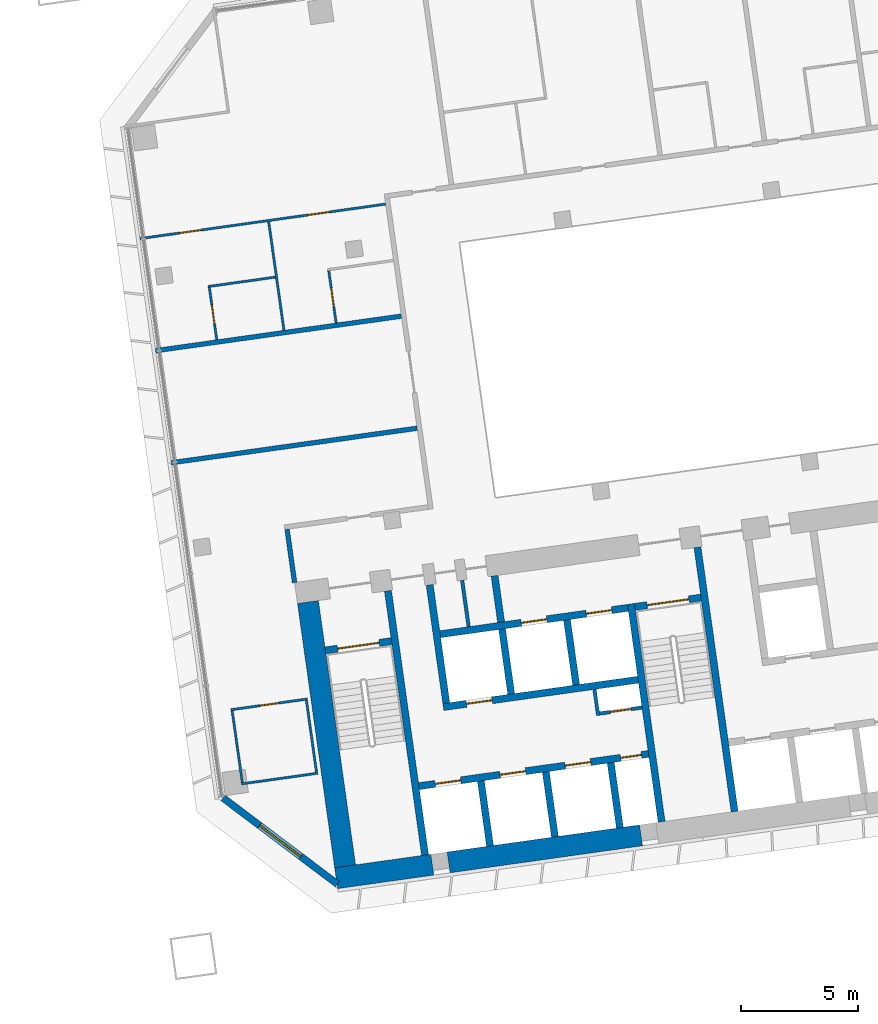
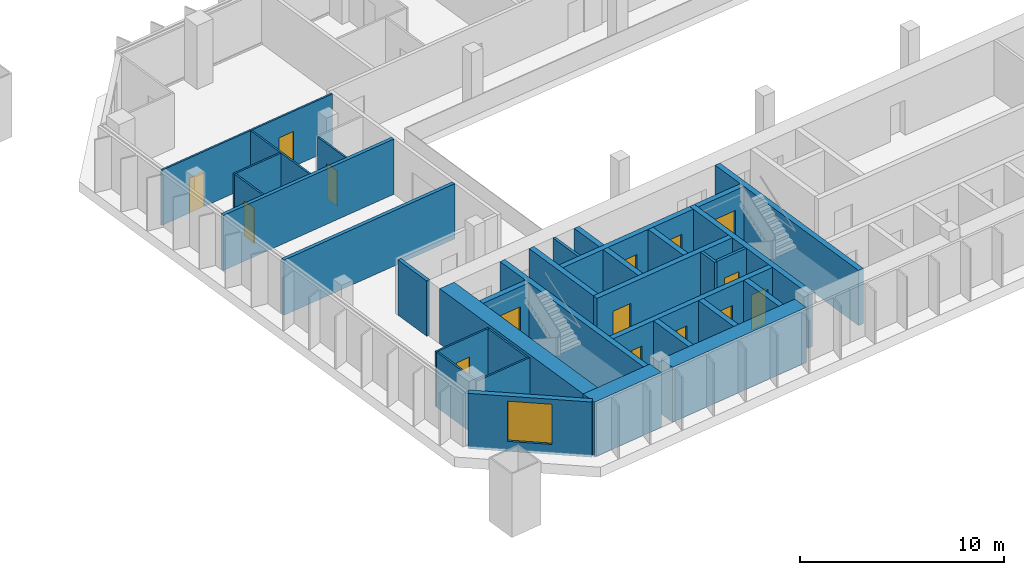
# One storey, part 18 of 24: 34 walls, 15 doors, 1 window, 16 openings.
"""IFC4 building model written with IfcOpenShell, lengths in metres."""

from ifc_helpers import new_model, si_unit, direction, frame, frame_2d, origin, place, context, subcontext, project, spatial, rectangle, extrude, material, layer, layer_set, type_object, element, fill, save


model = new_model("IFC4")

# Units and contexts
model_context = context("Model", 3, precision=1e-05, world=origin(), true_north=direction((0.0, 1.0)))
body_context = subcontext(model_context, "Body", "Model", "MODEL_VIEW")
ifc_project = project(units=[si_unit("LENGTHUNIT", "METRE"), si_unit("AREAUNIT", "SQUARE_METRE"), si_unit("VOLUMEUNIT", "CUBIC_METRE"), si_unit("PLANEANGLEUNIT", "RADIAN"), si_unit("MASSUNIT", "GRAM", prefix="KILO")], contexts=[model_context])

# Site, building, storey
site_placement = place(None, origin())
site = spatial("IfcSite", under=ifc_project, at=site_placement, CompositionType="ELEMENT")
building_placement = place(site_placement, origin())
building = spatial("IfcBuilding", under=site, at=building_placement, Name="Mirante Cascada Hotel Towers", CompositionType="ELEMENT")
storey_placement = place(building_placement, frame((0.0, 0.0, 88.9)))
storey = spatial("IfcBuildingStorey", under=building, at=storey_placement, Name="L19", CompositionType="ELEMENT", Elevation=88.9)

# Walls
ifc_material_1 = material(Name="Fire-rated plasterboard on metal studs")
ifc_layer_1 = layer(ifc_material_1, 0.2)
ifc_layer_set_1 = layer_set([ifc_layer_1], Name="Compartment wall 200 EI 120")
wall_type_1 = type_object("IfcWallType", Name="Compartment wall 200 EI 120", PredefinedType="PARTITIONING", material=ifc_layer_set_1)
wall_1_placement = place(storey_placement, frame((30.0, -2.0, 0.0), z_axis=(0.0, 0.0, 1.0), x_axis=(0.9902684, 0.1391704, 0.0)))
element("IfcWall", 1, at=wall_1_placement, inside=storey, type_object=wall_type_1, Name="Wall 2-L19-04", PredefinedType="PARTITIONING", context=body_context, shape_type="SweptSolid", body=[
    extrude(rectangle(XDim=10.6, YDim=0.2, at=frame_2d((5.3, 0.0))), origin(), (0.0, 0.0, 1.0), 3.3),
])
wall_2_placement = place(storey_placement, frame((29.3273, 2.7863, 0.0), z_axis=(0.0, 0.0, 1.0), x_axis=(0.9902686, 0.1391691, 0.0)))
element("IfcWall", 2, at=wall_2_placement, inside=storey, type_object=wall_type_1, Name="Wall 2-L19-08", PredefinedType="PARTITIONING", context=body_context, shape_type="SweptSolid", body=[
    extrude(rectangle(XDim=10.6001, YDim=0.2, at=frame_2d((5.3, 0.0))), origin(), (0.0, 0.0, 1.0), 3.3),
])
wall_3_placement = place(storey_placement, frame((34.9433, -4.8397, 0.0), z_axis=(0.0, 0.0, 1.0), x_axis=(0.1391749, -0.9902678, 0.0)))
element("IfcWall", 3, at=wall_3_placement, inside=storey, type_object=wall_type_1, Name="Wall 2-L19-27", PredefinedType="PARTITIONING", context=body_context, shape_type="SweptSolid", body=[
    extrude(rectangle(XDim=2.3, YDim=0.2, at=frame_2d((1.15, 0.0))), origin(), (0.0, 0.0, 1.0), 3.3),
])
ifc_material_2 = material(Name="Masonry block", Category="masonry")
ifc_layer_2 = layer(ifc_material_2, 0.15)
ifc_layer_set_2 = layer_set([ifc_layer_2], Name="Core room partition 150 block EI 30")
wall_type_2 = type_object("IfcWallType", Name="Core room partition 150 block EI 30", PredefinedType="PARTITIONING", material=ifc_layer_set_2)
wall_4_placement = place(storey_placement, frame((48.2295, -12.793, 0.0), z_axis=(0.0, 0.0, 1.0), x_axis=(-0.1391935, 0.9902652, 0.0)))
element("IfcWall", 4, at=wall_4_placement, inside=storey, type_object=wall_type_2, Name="Core wall partition T2 L19 2", PredefinedType="PARTITIONING", context=body_context, shape_type="SweptSolid", body=[
    extrude(rectangle(XDim=1.1251, YDim=0.15, at=frame_2d((0.5626, 0.0))), origin(), (0.0, 0.0, 1.0), 3.3),
])

# Wall, opening, door
wall_5_placement = place(storey_placement, frame((48.2933, -12.7083, 0.0), z_axis=(0.0, 0.0, 1.0), x_axis=(0.990268, 0.1391734, 0.0)))
wall_5 = element("IfcWall", 5, at=wall_5_placement, inside=storey, type_object=wall_type_2, Name="Core wall partition T2 L19 3", PredefinedType="PARTITIONING", context=body_context, shape_type="SweptSolid", body=[
    extrude(rectangle(XDim=1.8251, YDim=0.15, at=frame_2d((0.9126, 0.0))), origin(), (0.0, 0.0, 1.0), 3.3),
])
opening_1_placement = place(wall_5_placement, frame((0.4625, 0.0, 0.0)))
opening_1 = element("IfcOpeningElement", 6, at=opening_1_placement, cuts=wall_5, Name="Opening D2-19-C23", PredefinedType="OPENING", context=body_context, shape_type="SweptSolid", body=[
    extrude(rectangle(XDim=0.9, YDim=2.1, at=frame_2d((0.45, 1.05))), frame((0.0, 0.075, 0.0), z_axis=(0.0, -1.0, 0.0), x_axis=(1.0, 0.0, 0.0)), (0.0, 0.0, 1.0), 0.15),
])
ifc_material_3 = material(Name="Hollow metal fire door leaf")
door_type_1 = type_object("IfcDoorType", Name="Fire door 900x2100 FD60", OperationType="NOTDEFINED", PredefinedType="DOOR", material=ifc_material_3)
door_1_placement = place(opening_1_placement, frame((0.9, 0.0, 0.0), z_axis=(0.0, 0.0, 1.0), x_axis=(-1.0, 0.0, 0.0)))
door_1 = element("IfcDoor", 7, at=door_1_placement, inside=storey, type_object=door_type_1, Name="Riser door T2 L19 23", OperationType="SINGLE_SWING_RIGHT", OverallHeight=2.1, OverallWidth=0.9, PredefinedType="DOOR", context=body_context, shape_type="SweptSolid", body=[
    extrude(rectangle(XDim=0.9, YDim=2.1, at=frame_2d((0.45, 1.05))), frame((0.0, 0.025, 0.0), z_axis=(0.0, -1.0, 0.0), x_axis=(1.0, 0.0, 0.0)), (0.0, 0.0, 1.0), 0.05),
])
fill(opening_1, door_1)

# Walls
wall_6_placement = place(storey_placement, frame((42.6979, -9.0009, 0.0), z_axis=(0.0, 0.0, 1.0), x_axis=(-0.1391529, 0.9902709, 0.0)))
element("IfcWall", 8, at=wall_6_placement, inside=storey, type_object=wall_type_2, Name="Core wall partition T2 L19 4", PredefinedType="PARTITIONING", context=body_context, shape_type="SweptSolid", body=[
    extrude(rectangle(XDim=2.0, YDim=0.15, at=frame_2d((1.0, 0.0))), origin(), (0.0, 0.0, 1.0), 3.3),
])
ifc_material_4 = material(Name="Masonry block", Category="masonry")
ifc_layer_3 = layer(ifc_material_4, 0.3)
ifc_layer_set_3 = layer_set([ifc_layer_3], Name="Core wall 300 block EI 120")
wall_type_3 = type_object("IfcWallType", Name="Core wall 300 block EI 120", PredefinedType="PARTITIONING", material=ifc_layer_set_3)
wall_7_placement = place(storey_placement, frame((44.0843, -8.8061, 0.0), z_axis=(0.0, 0.0, 1.0), x_axis=(-0.1391951, 0.990265, 0.0)))
element("IfcWall", 9, at=wall_7_placement, inside=storey, type_object=wall_type_3, Name="Core wall partition T2 L19 1", PredefinedType="PARTITIONING", context=body_context, shape_type="SweptSolid", body=[
    extrude(rectangle(XDim=2.0001, YDim=0.3, at=frame_2d((1.0001, 0.0))), origin(), (0.0, 0.0, 1.0), 3.3),
])
ifc_material_5 = material(Name="Plasterboard on metal studs")
ifc_layer_4 = layer(ifc_material_5, 0.1)
ifc_layer_set_4 = layer_set([ifc_layer_4], Name="Partition 100")
wall_type_4 = type_object("IfcWallType", Name="Partition 100", PredefinedType="PARTITIONING", material=ifc_layer_set_4)
wall_8_placement = place(storey_placement, frame((36.2561, -15.2583, 0.0), z_axis=(0.0, 0.0, 1.0), x_axis=(-0.990267, -0.139181, 0.0)))
element("IfcWall", 10, at=wall_8_placement, inside=storey, type_object=wall_type_4, Name="Wall 2-L19-01", PredefinedType="PARTITIONING", context=body_context, shape_type="SweptSolid", body=[
    extrude(rectangle(XDim=3.3, YDim=0.1, at=frame_2d((1.65, 0.0))), origin(), (0.0, 0.0, 1.0), 3.3),
])

# Wall, opening, door
wall_9_placement = place(storey_placement, frame((32.5429, -12.5488, 0.0), z_axis=(0.0, 0.0, 1.0), x_axis=(0.9902664, 0.1391852, 0.0)))
wall_9 = element("IfcWall", 11, at=wall_9_placement, inside=storey, type_object=wall_type_4, Name="Wall 2-L19-02", PredefinedType="PARTITIONING", context=body_context, shape_type="SweptSolid", body=[
    extrude(rectangle(XDim=3.2999, YDim=0.1, at=frame_2d((1.65, 0.0))), origin(), (0.0, 0.0, 1.0), 3.3),
])
opening_2_placement = place(wall_9_placement, frame((1.25, 0.0, 0.0)))
opening_2 = element("IfcOpeningElement", 12, at=opening_2_placement, cuts=wall_9, Name="Opening D2-L19-01", PredefinedType="OPENING", context=body_context, shape_type="SweptSolid", body=[
    extrude(rectangle(XDim=0.8, YDim=2.1, at=frame_2d((0.4, 1.05))), frame((0.0, 0.05, 0.0), z_axis=(0.0, -1.0, 0.0), x_axis=(1.0, 0.0, 0.0)), (0.0, 0.0, 1.0), 0.1),
])
ifc_material_6 = material(Name="Timber door leaf", Category="wood")
door_type_2 = type_object("IfcDoorType", Name="Bathroom door DG4 800x2100", OperationType="SINGLE_SWING_LEFT", PredefinedType="DOOR", material=ifc_material_6)
door_2_placement = place(opening_2_placement, origin())
door_2 = element("IfcDoor", 13, at=door_2_placement, inside=storey, type_object=door_type_2, Name="Door D2-L19-01", OperationType="SINGLE_SWING_LEFT", OverallHeight=2.1, OverallWidth=0.8, PredefinedType="DOOR", context=body_context, shape_type="SweptSolid", body=[
    extrude(rectangle(XDim=0.8, YDim=2.1, at=frame_2d((0.4, 1.05))), frame((0.0, 0.025, 0.0), z_axis=(0.0, -1.0, 0.0), x_axis=(1.0, 0.0, 0.0)), (0.0, 0.0, 1.0), 0.05),
])
fill(opening_2, door_2)

# Wall
wall_10_placement = place(storey_placement, frame((31.568, 5.5248, 0.0), z_axis=(0.0, 0.0, 1.0), x_axis=(0.9902683, 0.1391714, 0.0)))
element("IfcWall", 14, at=wall_10_placement, inside=storey, type_object=wall_type_4, Name="Wall 2-L19-10", PredefinedType="PARTITIONING", context=body_context, shape_type="SweptSolid", body=[
    extrude(rectangle(XDim=2.9, YDim=0.1, at=frame_2d((1.45, 0.0))), origin(), (0.0, 0.0, 1.0), 3.3),
])

# Wall, openings, doors
wall_11_placement = place(storey_placement, frame((39.1515, 9.0479, 0.0), z_axis=(0.0, 0.0, 1.0), x_axis=(-0.9902671, -0.1391797, 0.0)))
wall_11 = element("IfcWall", 15, at=wall_11_placement, inside=storey, type_object=wall_type_4, Name="Wall 2-L19-13", PredefinedType="PARTITIONING", context=body_context, shape_type="SweptSolid", body=[
    extrude(rectangle(XDim=10.6, YDim=0.1, at=frame_2d((5.3, 0.0))), origin(), (0.0, 0.0, 1.0), 3.3),
])
opening_3_placement = place(wall_11_placement, frame((7.975, 0.0, 0.0)))
opening_3 = element("IfcOpeningElement", 16, at=opening_3_placement, cuts=wall_11, Name="Opening D2-L19-06", PredefinedType="OPENING", context=body_context, shape_type="SweptSolid", body=[
    extrude(rectangle(XDim=0.9, YDim=2.1, at=frame_2d((0.45, 1.05))), frame((0.0, 0.05, 0.0), z_axis=(0.0, -1.0, 0.0), x_axis=(1.0, 0.0, 0.0)), (0.0, 0.0, 1.0), 0.1),
])
opening_4_placement = place(wall_11_placement, frame((2.425, 0.0, 0.0)))
opening_4 = element("IfcOpeningElement", 17, at=opening_4_placement, cuts=wall_11, Name="Opening D2-L19-07", PredefinedType="OPENING", context=body_context, shape_type="SweptSolid", body=[
    extrude(rectangle(XDim=0.9, YDim=2.1, at=frame_2d((0.45, 1.05))), frame((0.0, 0.05, 0.0), z_axis=(0.0, -1.0, 0.0), x_axis=(1.0, 0.0, 0.0)), (0.0, 0.0, 1.0), 0.1),
])
ifc_material_7 = material(Name="Timber door leaf", Category="wood")
door_type_3 = type_object("IfcDoorType", Name="Room door DG3 900x2100", OperationType="SINGLE_SWING_LEFT", PredefinedType="DOOR", material=ifc_material_7)
door_3_placement = place(opening_3_placement, frame((0.9, 0.0, 0.0), z_axis=(0.0, 0.0, 1.0), x_axis=(-1.0, 0.0, 0.0)))
door_3 = element("IfcDoor", 18, at=door_3_placement, inside=storey, type_object=door_type_3, Name="Door D2-L19-06", OperationType="SINGLE_SWING_RIGHT", OverallHeight=2.1, OverallWidth=0.9, PredefinedType="DOOR", context=body_context, shape_type="SweptSolid", body=[
    extrude(rectangle(XDim=0.9, YDim=2.1, at=frame_2d((0.45, 1.05))), frame((0.0, 0.025, 0.0), z_axis=(0.0, -1.0, 0.0), x_axis=(1.0, 0.0, 0.0)), (0.0, 0.0, 1.0), 0.05),
])
fill(opening_3, door_3)
door_4_placement = place(opening_4_placement, frame((0.9, 0.0, 0.0), z_axis=(0.0, 0.0, 1.0), x_axis=(-1.0, 0.0, 0.0)))
door_4 = element("IfcDoor", 19, at=door_4_placement, inside=storey, type_object=door_type_3, Name="Door D2-L19-07", OperationType="SINGLE_SWING_RIGHT", OverallHeight=2.1, OverallWidth=0.9, PredefinedType="DOOR", context=body_context, shape_type="SweptSolid", body=[
    extrude(rectangle(XDim=0.9, YDim=2.1, at=frame_2d((0.45, 1.05))), frame((0.0, 0.025, 0.0), z_axis=(0.0, -1.0, 0.0), x_axis=(1.0, 0.0, 0.0)), (0.0, 0.0, 1.0), 0.05),
])
fill(opening_4, door_4)

# Wall
wall_12_placement = place(storey_placement, frame((33.0308, -15.6611, 0.0), z_axis=(0.0, 0.0, 1.0), x_axis=(-0.1391945, 0.9902651, 0.0)))
element("IfcWall", 20, at=wall_12_placement, inside=storey, type_object=wall_type_4, Name="Wall 2-L19-24", PredefinedType="PARTITIONING", context=body_context, shape_type="SweptSolid", body=[
    extrude(rectangle(XDim=3.1, YDim=0.1, at=frame_2d((1.55, 0.0))), origin(), (0.0, 0.0, 1.0), 3.3),
])

# Wall, opening, door
wall_13_placement = place(storey_placement, frame((31.6245, 5.4822, 0.0), z_axis=(0.0, 0.0, 1.0), x_axis=(0.1391561, -0.9902705, 0.0)))
wall_13 = element("IfcWall", 21, at=wall_13_placement, inside=storey, type_object=wall_type_4, Name="Wall 2-L19-25", PredefinedType="PARTITIONING", context=body_context, shape_type="SweptSolid", body=[
    extrude(rectangle(XDim=2.25, YDim=0.1, at=frame_2d((1.125, 0.0))), origin(), (0.0, 0.0, 1.0), 3.3),
])
opening_5_placement = place(wall_13_placement, frame((0.75, 0.0, 0.0)))
opening_5 = element("IfcOpeningElement", 22, at=opening_5_placement, cuts=wall_13, Name="Opening D2-L19-23", PredefinedType="OPENING", context=body_context, shape_type="SweptSolid", body=[
    extrude(rectangle(XDim=0.8, YDim=2.1, at=frame_2d((0.4, 1.05))), frame((0.0, 0.05, 0.0), z_axis=(0.0, -1.0, 0.0), x_axis=(1.0, 0.0, 0.0)), (0.0, 0.0, 1.0), 0.1),
])
door_5_placement = place(opening_5_placement, origin())
door_5 = element("IfcDoor", 23, at=door_5_placement, inside=storey, type_object=door_type_2, Name="Door D2-L19-23", OperationType="SINGLE_SWING_LEFT", OverallHeight=2.1, OverallWidth=0.8, PredefinedType="DOOR", context=body_context, shape_type="SweptSolid", body=[
    extrude(rectangle(XDim=0.8, YDim=2.1, at=frame_2d((0.4, 1.05))), frame((0.0, 0.025, 0.0), z_axis=(0.0, -1.0, 0.0), x_axis=(1.0, 0.0, 0.0)), (0.0, 0.0, 1.0), 0.05),
])
fill(opening_5, door_5)

# Walls
wall_14_placement = place(storey_placement, frame((36.1996, -15.2158, 0.0), z_axis=(0.0, 0.0, 1.0), x_axis=(-0.1391629, 0.9902695, 0.0)))
element("IfcWall", 24, at=wall_14_placement, inside=storey, type_object=wall_type_4, Name="Wall 2-L19-26", PredefinedType="PARTITIONING", context=body_context, shape_type="SweptSolid", body=[
    extrude(rectangle(XDim=3.1, YDim=0.1, at=frame_2d((1.55, 0.0))), origin(), (0.0, 0.0, 1.0), 3.3),
])
wall_15_placement = place(storey_placement, frame((34.1576, 8.2955, 0.0), z_axis=(0.0, 0.0, 1.0), x_axis=(0.139173, -0.9902681, 0.0)))
element("IfcWall", 25, at=wall_15_placement, inside=storey, type_object=wall_type_4, Name="Wall 2-L19-29", PredefinedType="PARTITIONING", context=body_context, shape_type="SweptSolid", body=[
    extrude(rectangle(XDim=4.6834, YDim=0.1, at=frame_2d((2.3417, 0.0))), origin(), (0.0, 0.0, 1.0), 3.3),
])

# Wall, opening, door
wall_16_placement = place(storey_placement, frame((37.0375, 3.9708, 0.0), z_axis=(0.0, 0.0, 1.0), x_axis=(-0.1391561, 0.9902705, 0.0)))
wall_16 = element("IfcWall", 26, at=wall_16_placement, inside=storey, type_object=wall_type_4, Name="Wall 2-L19-30", PredefinedType="PARTITIONING", context=body_context, shape_type="SweptSolid", body=[
    extrude(rectangle(XDim=2.25, YDim=0.1, at=frame_2d((1.125, 0.0))), origin(), (0.0, 0.0, 1.0), 3.3),
])
opening_6_placement = place(wall_16_placement, frame((0.7, 0.0, 0.0)))
opening_6 = element("IfcOpeningElement", 27, at=opening_6_placement, cuts=wall_16, Name="Opening D2-L19-25", PredefinedType="OPENING", context=body_context, shape_type="SweptSolid", body=[
    extrude(rectangle(XDim=0.8, YDim=2.1, at=frame_2d((0.4, 1.05))), frame((0.0, 0.05, 0.0), z_axis=(0.0, -1.0, 0.0), x_axis=(1.0, 0.0, 0.0)), (0.0, 0.0, 1.0), 0.1),
])
door_6_placement = place(opening_6_placement, frame((0.8, 0.0, 0.0), z_axis=(0.0, 0.0, 1.0), x_axis=(-1.0, 0.0, 0.0)))
door_6 = element("IfcDoor", 28, at=door_6_placement, inside=storey, type_object=door_type_2, Name="Door D2-L19-25", OperationType="SINGLE_SWING_RIGHT", OverallHeight=2.1, OverallWidth=0.8, PredefinedType="DOOR", context=body_context, shape_type="SweptSolid", body=[
    extrude(rectangle(XDim=0.8, YDim=2.1, at=frame_2d((0.4, 1.05))), frame((0.0, 0.025, 0.0), z_axis=(0.0, -1.0, 0.0), x_axis=(1.0, 0.0, 0.0)), (0.0, 0.0, 1.0), 0.05),
])
fill(opening_6, door_6)

# Wall, opening, window
ifc_material_8 = material(Name="Precast concrete C40/50", Category="concrete")
ifc_layer_5 = layer(ifc_material_8, 0.3)
ifc_layer_set_5 = layer_set([ifc_layer_5], Name="Precast concrete C40/50 cladding wall 300")
wall_type_5 = type_object("IfcWallType", Name="Precast concrete C40/50 cladding wall 300", PredefinedType="STANDARD", material=ifc_layer_set_5)
wall_17_placement = place(storey_placement, frame((32.2074, -16.3138, 0.0), z_axis=(0.0, 0.0, 1.0), x_axis=(0.7986362, -0.6018141, 0.0)))
wall_17 = element("IfcWall", 29, at=wall_17_placement, inside=storey, type_object=wall_type_5, Name="Corner cladding wall T2 L19 inner rear", PredefinedType="STANDARD", context=body_context, shape_type="SweptSolid", body=[
    extrude(rectangle(XDim=6.1157, YDim=0.3, at=frame_2d((3.0578, 0.0))), origin(), (0.0, 0.0, 1.0), 3.3),
])
opening_7_placement = place(wall_17_placement, frame((1.9578, 0.0, 0.6)))
opening_7 = element("IfcOpeningElement", 30, at=opening_7_placement, cuts=wall_17, Name="Opening W2-19-05", PredefinedType="OPENING", context=body_context, shape_type="SweptSolid", body=[
    extrude(rectangle(XDim=2.2, YDim=2.4, at=frame_2d((1.1, 1.2))), frame((0.0, 0.15, 0.0), z_axis=(0.0, -1.0, 0.0), x_axis=(1.0, 0.0, 0.0)), (0.0, 0.0, 1.0), 0.3),
])
ifc_material_9 = material(Name="Aluminium frame with clear double glazing", Category="aluminium")
window_type = type_object("IfcWindowType", Name="Corner suite window 2200x2400", PartitioningType="DOUBLE_PANEL_VERTICAL", PredefinedType="WINDOW", material=ifc_material_9)
window_placement = place(opening_7_placement, origin())
window = element("IfcWindow", 31, at=window_placement, inside=storey, type_object=window_type, Name="Window W2-19-05", OverallHeight=2.4, OverallWidth=2.2, PartitioningType="SINGLE_PANEL", PredefinedType="WINDOW", context=body_context, shape_type="SweptSolid", body=[
    extrude(rectangle(XDim=2.2, YDim=2.4, at=frame_2d((1.1, 1.2))), frame((0.0, 0.03, 0.0), z_axis=(0.0, -1.0, 0.0), x_axis=(1.0, 0.0, 0.0)), (0.0, 0.0, 1.0), 0.06),
])
fill(opening_7, window)

# Walls
ifc_material_10 = material(Name="Concrete C50/60", Category="concrete")
ifc_layer_6 = layer(ifc_material_10, 0.3)
ifc_layer_set_6 = layer_set([ifc_layer_6], Name="RC core wall 300 C50/60")
wall_type_6 = type_object("IfcWallType", Name="RC core wall 300 C50/60", PredefinedType="SHEAR", material=ifc_layer_set_6)
wall_18_placement = place(storey_placement, frame((40.8373, -18.7548, 0.0), z_axis=(0.0, 0.0, 1.0), x_axis=(-0.1391749, 0.9902678, 0.0)))
element("IfcWall", 32, at=wall_18_placement, inside=storey, type_object=wall_type_6, Name="Core wall T2:L19:5", PredefinedType="SHEAR", context=body_context, shape_type="SweptSolid", body=[
    extrude(rectangle(XDim=11.4, YDim=0.3, at=frame_2d((5.7, 0.0))), origin(), (0.0, 0.0, 1.0), 3.3),
])
wall_19_placement = place(storey_placement, frame((50.938, -17.3352, 0.0), z_axis=(0.0, 0.0, 1.0), x_axis=(-0.1391706, 0.9902684, 0.0)))
element("IfcWall", 33, at=wall_19_placement, inside=storey, type_object=wall_type_6, Name="Core wall T2:L19:6", PredefinedType="SHEAR", context=body_context, shape_type="SweptSolid", body=[
    extrude(rectangle(XDim=9.4, YDim=0.3, at=frame_2d((4.7, 0.0))), origin(), (0.0, 0.0, 1.0), 3.3),
])
wall_20_placement = place(storey_placement, frame((54.0574, -16.8968, 0.0), z_axis=(0.0, 0.0, 1.0), x_axis=(-0.1391761, 0.9902677, 0.0)))
element("IfcWall", 34, at=wall_20_placement, inside=storey, type_object=wall_type_6, Name="Core wall T2:L19:7", PredefinedType="SHEAR", context=body_context, shape_type="SweptSolid", body=[
    extrude(rectangle(XDim=11.3999, YDim=0.3, at=frame_2d((5.7, 0.0))), origin(), (0.0, 0.0, 1.0), 3.3),
])

# Wall, opening, door
wall_21_placement = place(storey_placement, frame((36.5791, -10.0123, 0.0), z_axis=(0.0, 0.0, 1.0), x_axis=(0.9902704, 0.1391564, 0.0)))
wall_21 = element("IfcWall", 35, at=wall_21_placement, inside=storey, type_object=wall_type_6, Name="Core wall T2:L19:9", PredefinedType="SHEAR", context=body_context, shape_type="SweptSolid", body=[
    extrude(rectangle(XDim=2.85, YDim=0.3, at=frame_2d((1.425, 0.0))), origin(), (0.0, 0.0, 1.0), 3.3),
])
opening_8_placement = place(wall_21_placement, frame((0.525, 0.0, 0.0)))
opening_8 = element("IfcOpeningElement", 36, at=opening_8_placement, cuts=wall_21, Name="Opening D2-19-C13", PredefinedType="OPENING", context=body_context, shape_type="SweptSolid", body=[
    extrude(rectangle(XDim=1.8, YDim=2.1, at=frame_2d((0.9, 1.05))), frame((0.0, 0.15, 0.0), z_axis=(0.0, -1.0, 0.0), x_axis=(1.0, 0.0, 0.0)), (0.0, 0.0, 1.0), 0.3),
])
ifc_material_11 = material(Name="Hollow metal fire door leaf")
door_type_4 = type_object("IfcDoorType", Name="Double fire door 1800x2100 FD60", OperationType="DOUBLE_DOOR_SINGLE_SWING", PredefinedType="DOOR", material=ifc_material_11)
door_7_placement = place(opening_8_placement, frame((1.8, 0.0, 0.0), z_axis=(0.0, 0.0, 1.0), x_axis=(-1.0, 0.0, 0.0)))
door_7 = element("IfcDoor", 37, at=door_7_placement, inside=storey, type_object=door_type_4, Name="Stair door T2 L19 13", OperationType="DOUBLE_DOOR_SINGLE_SWING", OverallHeight=2.1, OverallWidth=1.8, PredefinedType="DOOR", context=body_context, shape_type="SweptSolid", body=[
    extrude(rectangle(XDim=0.895, YDim=2.1, at=frame_2d((0.4475, 1.05))), frame((0.0, 0.025, 0.0), z_axis=(0.0, -1.0, 0.0), x_axis=(1.0, 0.0, 0.0)), (0.0, 0.0, 1.0), 0.05),
    extrude(rectangle(XDim=0.895, YDim=2.1, at=frame_2d((1.3525, 1.05))), frame((0.0, 0.025, 0.0), z_axis=(0.0, -1.0, 0.0), x_axis=(1.0, 0.0, 0.0)), (0.0, 0.0, 1.0), 0.05),
])
fill(opening_8, door_7)

wall_22_placement = place(storey_placement, frame((49.7992, -8.1544, 0.0), z_axis=(0.0, 0.0, 1.0), x_axis=(0.9902656, 0.1391909, 0.0)))
wall_22 = element("IfcWall", 38, at=wall_22_placement, inside=storey, type_object=wall_type_6, Name="Core wall T2:L19:10", PredefinedType="SHEAR", context=body_context, shape_type="SweptSolid", body=[
    extrude(rectangle(XDim=2.85, YDim=0.3, at=frame_2d((1.425, 0.0))), origin(), (0.0, 0.0, 1.0), 3.3),
])
opening_9_placement = place(wall_22_placement, frame((0.525, 0.0, 0.0)))
opening_9 = element("IfcOpeningElement", 39, at=opening_9_placement, cuts=wall_22, Name="Opening D2-19-C15", PredefinedType="OPENING", context=body_context, shape_type="SweptSolid", body=[
    extrude(rectangle(XDim=1.8, YDim=2.1, at=frame_2d((0.9, 1.05))), frame((0.0, 0.15, 0.0), z_axis=(0.0, -1.0, 0.0), x_axis=(1.0, 0.0, 0.0)), (0.0, 0.0, 1.0), 0.3),
])
door_8_placement = place(opening_9_placement, frame((1.8, 0.0, 0.0), z_axis=(0.0, 0.0, 1.0), x_axis=(-1.0, 0.0, 0.0)))
door_8 = element("IfcDoor", 40, at=door_8_placement, inside=storey, type_object=door_type_4, Name="Stair door T2 L19 15", OperationType="DOUBLE_DOOR_SINGLE_SWING", OverallHeight=2.1, OverallWidth=1.8, PredefinedType="DOOR", context=body_context, shape_type="SweptSolid", body=[
    extrude(rectangle(XDim=0.895, YDim=2.1, at=frame_2d((0.4475, 1.05))), frame((0.0, 0.025, 0.0), z_axis=(0.0, -1.0, 0.0), x_axis=(1.0, 0.0, 0.0)), (0.0, 0.0, 1.0), 0.05),
    extrude(rectangle(XDim=0.895, YDim=2.1, at=frame_2d((1.3525, 1.05))), frame((0.0, 0.025, 0.0), z_axis=(0.0, -1.0, 0.0), x_axis=(1.0, 0.0, 0.0)), (0.0, 0.0, 1.0), 0.05),
])
fill(opening_9, door_8)

# Wall, openings, doors
wall_23_placement = place(storey_placement, frame((40.5753, -15.8126, 0.0), z_axis=(0.0, 0.0, 1.0), x_axis=(0.9902682, 0.1391725, 0.0)))
wall_23 = element("IfcWall", 41, at=wall_23_placement, inside=storey, type_object=wall_type_6, Name="Core wall T2:L19:12", PredefinedType="SHEAR", context=body_context, shape_type="SweptSolid", body=[
    extrude(rectangle(XDim=9.8999, YDim=0.3, at=frame_2d((4.95, 0.0))), origin(), (0.0, 0.0, 1.0), 3.3),
])
opening_10_placement = place(wall_23_placement, frame((0.7, 0.0, 0.0)))
opening_10 = element("IfcOpeningElement", 42, at=opening_10_placement, cuts=wall_23, Name="Opening LD", PredefinedType="OPENING", context=body_context, shape_type="SweptSolid", body=[
    extrude(rectangle(XDim=1.1, YDim=2.1, at=frame_2d((0.55, 1.05))), frame((0.0, 0.15, 0.0), z_axis=(0.0, -1.0, 0.0), x_axis=(1.0, 0.0, 0.0)), (0.0, 0.0, 1.0), 0.3),
])
opening_11_placement = place(wall_23_placement, frame((3.5, 0.0, 0.0)))
opening_11 = element("IfcOpeningElement", 43, at=opening_11_placement, cuts=wall_23, Name="Opening LD", PredefinedType="OPENING", context=body_context, shape_type="SweptSolid", body=[
    extrude(rectangle(XDim=1.1, YDim=2.1, at=frame_2d((0.55, 1.05))), frame((0.0, 0.15, 0.0), z_axis=(0.0, -1.0, 0.0), x_axis=(1.0, 0.0, 0.0)), (0.0, 0.0, 1.0), 0.3),
])
opening_12_placement = place(wall_23_placement, frame((6.3, 0.0, 0.0)))
opening_12 = element("IfcOpeningElement", 44, at=opening_12_placement, cuts=wall_23, Name="Opening LD", PredefinedType="OPENING", context=body_context, shape_type="SweptSolid", body=[
    extrude(rectangle(XDim=1.1, YDim=2.1, at=frame_2d((0.55, 1.05))), frame((0.0, 0.15, 0.0), z_axis=(0.0, -1.0, 0.0), x_axis=(1.0, 0.0, 0.0)), (0.0, 0.0, 1.0), 0.3),
])
opening_13_placement = place(wall_23_placement, frame((8.7, 0.0, 0.0)))
opening_13 = element("IfcOpeningElement", 45, at=opening_13_placement, cuts=wall_23, Name="Opening D2-19-C22", PredefinedType="OPENING", context=body_context, shape_type="SweptSolid", body=[
    extrude(rectangle(XDim=0.9, YDim=2.1, at=frame_2d((0.45, 1.05))), frame((0.0, 0.15, 0.0), z_axis=(0.0, -1.0, 0.0), x_axis=(1.0, 0.0, 0.0)), (0.0, 0.0, 1.0), 0.3),
])
door_9_placement = place(opening_13_placement, frame((0.9, 0.0, 0.0), z_axis=(0.0, 0.0, 1.0), x_axis=(-1.0, 0.0, 0.0)))
door_9 = element("IfcDoor", 46, at=door_9_placement, inside=storey, type_object=door_type_1, Name="Riser door T2 L19 22", OperationType="SINGLE_SWING_RIGHT", OverallHeight=2.1, OverallWidth=0.9, PredefinedType="DOOR", context=body_context, shape_type="SweptSolid", body=[
    extrude(rectangle(XDim=0.9, YDim=2.1, at=frame_2d((0.45, 1.05))), frame((0.0, 0.025, 0.0), z_axis=(0.0, -1.0, 0.0), x_axis=(1.0, 0.0, 0.0)), (0.0, 0.0, 1.0), 0.05),
])
fill(opening_13, door_9)
ifc_material_12 = material(Name="Stainless steel", Category="steel")
door_type_5 = type_object("IfcDoorType", Name="Lift landing door 1100x2100 EI 120", OperationType="DOUBLE_DOOR_SLIDING", PredefinedType="DOOR", material=ifc_material_12)
door_10_placement = place(opening_10_placement, origin())
door_10 = element("IfcDoor", 47, at=door_10_placement, inside=storey, type_object=door_type_5, Name="Lift landing door HR2-1 L19", OperationType="DOUBLE_DOOR_SLIDING", OverallHeight=2.1, OverallWidth=1.1, PredefinedType="DOOR", context=body_context, shape_type="SweptSolid", body=[
    extrude(rectangle(XDim=0.545, YDim=2.1, at=frame_2d((0.2725, 1.05))), frame((0.0, 0.025, 0.0), z_axis=(0.0, -1.0, 0.0), x_axis=(1.0, 0.0, 0.0)), (0.0, 0.0, 1.0), 0.05),
    extrude(rectangle(XDim=0.545, YDim=2.1, at=frame_2d((0.8275, 1.05))), frame((0.0, 0.025, 0.0), z_axis=(0.0, -1.0, 0.0), x_axis=(1.0, 0.0, 0.0)), (0.0, 0.0, 1.0), 0.05),
])
fill(opening_10, door_10)
door_11_placement = place(opening_11_placement, origin())
door_11 = element("IfcDoor", 48, at=door_11_placement, inside=storey, type_object=door_type_5, Name="Lift landing door HR2-2 L19", OperationType="DOUBLE_DOOR_SLIDING", OverallHeight=2.1, OverallWidth=1.1, PredefinedType="DOOR", context=body_context, shape_type="SweptSolid", body=[
    extrude(rectangle(XDim=0.545, YDim=2.1, at=frame_2d((0.2725, 1.05))), frame((0.0, 0.025, 0.0), z_axis=(0.0, -1.0, 0.0), x_axis=(1.0, 0.0, 0.0)), (0.0, 0.0, 1.0), 0.05),
    extrude(rectangle(XDim=0.545, YDim=2.1, at=frame_2d((0.8275, 1.05))), frame((0.0, 0.025, 0.0), z_axis=(0.0, -1.0, 0.0), x_axis=(1.0, 0.0, 0.0)), (0.0, 0.0, 1.0), 0.05),
])
fill(opening_11, door_11)
door_12_placement = place(opening_12_placement, origin())
door_12 = element("IfcDoor", 49, at=door_12_placement, inside=storey, type_object=door_type_5, Name="Lift landing door HR2-3 L19", OperationType="DOUBLE_DOOR_SLIDING", OverallHeight=2.1, OverallWidth=1.1, PredefinedType="DOOR", context=body_context, shape_type="SweptSolid", body=[
    extrude(rectangle(XDim=0.545, YDim=2.1, at=frame_2d((0.2725, 1.05))), frame((0.0, 0.025, 0.0), z_axis=(0.0, -1.0, 0.0), x_axis=(1.0, 0.0, 0.0)), (0.0, 0.0, 1.0), 0.05),
    extrude(rectangle(XDim=0.545, YDim=2.1, at=frame_2d((0.8275, 1.05))), frame((0.0, 0.025, 0.0), z_axis=(0.0, -1.0, 0.0), x_axis=(1.0, 0.0, 0.0)), (0.0, 0.0, 1.0), 0.05),
])
fill(opening_12, door_12)

# Wall, opening, door
wall_24_placement = place(storey_placement, frame((41.6153, -12.435, 0.0), z_axis=(0.0, 0.0, 1.0), x_axis=(0.9902691, 0.139166, 0.0)))
wall_24 = element("IfcWall", 50, at=wall_24_placement, inside=storey, type_object=wall_type_6, Name="Core wall T2:L19:13", PredefinedType="SHEAR", context=body_context, shape_type="SweptSolid", body=[
    extrude(rectangle(XDim=8.4, YDim=0.3, at=frame_2d((4.2, 0.0))), origin(), (0.0, 0.0, 1.0), 3.3),
])
opening_14_placement = place(wall_24_placement, frame((1.0, 0.0, 0.0)))
opening_14 = element("IfcOpeningElement", 51, at=opening_14_placement, cuts=wall_24, Name="Opening LD", PredefinedType="OPENING", context=body_context, shape_type="SweptSolid", body=[
    extrude(rectangle(XDim=1.1, YDim=2.1, at=frame_2d((0.55, 1.05))), frame((0.0, 0.15, 0.0), z_axis=(0.0, -1.0, 0.0), x_axis=(1.0, 0.0, 0.0)), (0.0, 0.0, 1.0), 0.3),
])
door_13_placement = place(opening_14_placement, origin())
door_13 = element("IfcDoor", 52, at=door_13_placement, inside=storey, type_object=door_type_5, Name="Lift landing door HR2-4 L19", OperationType="DOUBLE_DOOR_SLIDING", OverallHeight=2.1, OverallWidth=1.1, PredefinedType="DOOR", context=body_context, shape_type="SweptSolid", body=[
    extrude(rectangle(XDim=0.545, YDim=2.1, at=frame_2d((0.2725, 1.05))), frame((0.0, 0.025, 0.0), z_axis=(0.0, -1.0, 0.0), x_axis=(1.0, 0.0, 0.0)), (0.0, 0.0, 1.0), 0.05),
    extrude(rectangle(XDim=0.545, YDim=2.1, at=frame_2d((0.8275, 1.05))), frame((0.0, 0.025, 0.0), z_axis=(0.0, -1.0, 0.0), x_axis=(1.0, 0.0, 0.0)), (0.0, 0.0, 1.0), 0.05),
])
fill(opening_14, door_13)

# Wall, openings, doors
wall_25_placement = place(storey_placement, frame((41.481, -9.3234, 0.0), z_axis=(0.0, 0.0, 1.0), x_axis=(0.9902679, 0.1391741, 0.0)))
wall_25 = element("IfcWall", 53, at=wall_25_placement, inside=storey, type_object=wall_type_6, Name="Core wall T2:L19:14", PredefinedType="SHEAR", context=body_context, shape_type="SweptSolid", body=[
    extrude(rectangle(XDim=8.0999, YDim=0.3, at=frame_2d((4.05, 0.0))), origin(), (0.0, 0.0, 1.0), 3.3),
])
opening_15_placement = place(wall_25_placement, frame((3.5, 0.0, 0.0)))
opening_15 = element("IfcOpeningElement", 54, at=opening_15_placement, cuts=wall_25, Name="Opening LD", PredefinedType="OPENING", context=body_context, shape_type="SweptSolid", body=[
    extrude(rectangle(XDim=1.1, YDim=2.1, at=frame_2d((0.55, 1.05))), frame((0.0, 0.15, 0.0), z_axis=(0.0, -1.0, 0.0), x_axis=(1.0, 0.0, 0.0)), (0.0, 0.0, 1.0), 0.3),
])
opening_16_placement = place(wall_25_placement, frame((6.3, 0.0, 0.0)))
opening_16 = element("IfcOpeningElement", 55, at=opening_16_placement, cuts=wall_25, Name="Opening LD", PredefinedType="OPENING", context=body_context, shape_type="SweptSolid", body=[
    extrude(rectangle(XDim=1.1, YDim=2.1, at=frame_2d((0.55, 1.05))), frame((0.0, 0.15, 0.0), z_axis=(0.0, -1.0, 0.0), x_axis=(1.0, 0.0, 0.0)), (0.0, 0.0, 1.0), 0.3),
])
door_14_placement = place(opening_15_placement, origin())
door_14 = element("IfcDoor", 56, at=door_14_placement, inside=storey, type_object=door_type_5, Name="Lift landing door FF3 L19", OperationType="DOUBLE_DOOR_SLIDING", OverallHeight=2.1, OverallWidth=1.1, PredefinedType="DOOR", context=body_context, shape_type="SweptSolid", body=[
    extrude(rectangle(XDim=0.545, YDim=2.1, at=frame_2d((0.2725, 1.05))), frame((0.0, 0.025, 0.0), z_axis=(0.0, -1.0, 0.0), x_axis=(1.0, 0.0, 0.0)), (0.0, 0.0, 1.0), 0.05),
    extrude(rectangle(XDim=0.545, YDim=2.1, at=frame_2d((0.8275, 1.05))), frame((0.0, 0.025, 0.0), z_axis=(0.0, -1.0, 0.0), x_axis=(1.0, 0.0, 0.0)), (0.0, 0.0, 1.0), 0.05),
])
fill(opening_15, door_14)
door_15_placement = place(opening_16_placement, origin())
door_15 = element("IfcDoor", 57, at=door_15_placement, inside=storey, type_object=door_type_5, Name="Lift landing door FF4 L19", OperationType="DOUBLE_DOOR_SLIDING", OverallHeight=2.1, OverallWidth=1.1, PredefinedType="DOOR", context=body_context, shape_type="SweptSolid", body=[
    extrude(rectangle(XDim=0.545, YDim=2.1, at=frame_2d((0.2725, 1.05))), frame((0.0, 0.025, 0.0), z_axis=(0.0, -1.0, 0.0), x_axis=(1.0, 0.0, 0.0)), (0.0, 0.0, 1.0), 0.05),
    extrude(rectangle(XDim=0.545, YDim=2.1, at=frame_2d((0.8275, 1.05))), frame((0.0, 0.025, 0.0), z_axis=(0.0, -1.0, 0.0), x_axis=(1.0, 0.0, 0.0)), (0.0, 0.0, 1.0), 0.05),
])
fill(opening_16, door_15)

# Walls
wall_26_placement = place(storey_placement, frame((43.61, -18.3651, 0.0), z_axis=(0.0, 0.0, 1.0), x_axis=(-0.1391459, 0.9902719, 0.0)))
element("IfcWall", 58, at=wall_26_placement, inside=storey, type_object=wall_type_6, Name="Core wall T2:L19:15", PredefinedType="SHEAR", context=body_context, shape_type="SweptSolid", body=[
    extrude(rectangle(XDim=2.7999, YDim=0.3, at=frame_2d((1.4, 0.0))), origin(), (0.0, 0.0, 1.0), 3.3),
])
wall_27_placement = place(storey_placement, frame((46.3828, -17.9754, 0.0), z_axis=(0.0, 0.0, 1.0), x_axis=(-0.139181, 0.990267, 0.0)))
element("IfcWall", 59, at=wall_27_placement, inside=storey, type_object=wall_type_6, Name="Core wall T2:L19:16", PredefinedType="SHEAR", context=body_context, shape_type="SweptSolid", body=[
    extrude(rectangle(XDim=2.8, YDim=0.3, at=frame_2d((1.4, 0.0))), origin(), (0.0, 0.0, 1.0), 3.3),
])
wall_28_placement = place(storey_placement, frame((49.1555, -17.5857, 0.0), z_axis=(0.0, 0.0, 1.0), x_axis=(-0.1391459, 0.9902719, 0.0)))
element("IfcWall", 60, at=wall_28_placement, inside=storey, type_object=wall_type_6, Name="Core wall T2:L19:17", PredefinedType="SHEAR", context=body_context, shape_type="SweptSolid", body=[
    extrude(rectangle(XDim=2.7999, YDim=0.3, at=frame_2d((1.4, 0.0))), origin(), (0.0, 0.0, 1.0), 3.3),
])
for number, where, z_axis, x_axis, name in (
    (61, (44.5157, -11.8759, 0.0), (0.0, 0.0, 1.0), (-0.139181, 0.990267, 0.0), "Core wall T2:L19:18"),
    (62, (47.2885, -11.4862, 0.0), (0.0, 0.0, 1.0), (-0.139181, 0.990267, 0.0), "Core wall T2:L19:19"),
):
    element("IfcWall", number, at=place(storey_placement, frame(where, z_axis=z_axis, x_axis=x_axis)), inside=storey, type_object=wall_type_6, Name=name, PredefinedType="SHEAR", context=body_context, shape_type="SweptSolid", body=[
        extrude(rectangle(XDim=2.8, YDim=0.3, at=frame_2d((1.4, 0.0))), origin(), (0.0, 0.0, 1.0), 3.3),
    ])
wall_29_placement = place(storey_placement, frame((41.743, -12.2656, 0.0), z_axis=(0.0, 0.0, 1.0), x_axis=(-0.1391755, 0.9902677, 0.0)))
element("IfcWall", 63, at=wall_29_placement, inside=storey, type_object=wall_type_6, Name="Core wall T2:L19:20", PredefinedType="SHEAR", context=body_context, shape_type="SweptSolid", body=[
    extrude(rectangle(XDim=5.1, YDim=0.3, at=frame_2d((2.55, 0.0))), origin(), (0.0, 0.0, 1.0), 3.3),
])
ifc_material_13 = material(Name="Concrete C50/60", Category="concrete")
ifc_layer_7 = layer(ifc_material_13, 0.9)
ifc_layer_set_7 = layer_set([ifc_layer_7], Name="RC core wall 900 C50/60")
wall_type_7 = type_object("IfcWallType", Name="RC core wall 900 C50/60", PredefinedType="SHEAR", material=ifc_layer_set_7)
wall_30_placement = place(storey_placement, frame((37.0379, -19.7432, 0.0), z_axis=(0.0, 0.0, 1.0), x_axis=(0.990267, 0.139181, 0.0)))
element("IfcWall", 64, at=wall_30_placement, inside=storey, type_object=wall_type_7, Name="Core wall T2:L19:1.1", PredefinedType="SHEAR", context=body_context, shape_type="SweptSolid", body=[
    extrude(rectangle(XDim=4.15, YDim=0.9, at=frame_2d((2.075, 0.0))), origin(), (0.0, 0.0, 1.0), 3.3),
])
wall_31_placement = place(storey_placement, frame((41.8407, -19.0682, 0.0), z_axis=(0.0, 0.0, 1.0), x_axis=(0.9902686, 0.1391692, 0.0)))
element("IfcWall", 65, at=wall_31_placement, inside=storey, type_object=wall_type_7, Name="Core wall T2:L19:1.2", PredefinedType="SHEAR", context=body_context, shape_type="SweptSolid", body=[
    extrude(rectangle(XDim=8.3, YDim=0.9, at=frame_2d((4.15, 0.0))), origin(), (0.0, 0.0, 1.0), 3.3),
])
wall_32_placement = place(storey_placement, frame((37.4209, -19.2349, 0.0), z_axis=(0.0, 0.0, 1.0), x_axis=(-0.1391761, 0.9902677, 0.0)))
element("IfcWall", 66, at=wall_32_placement, inside=storey, type_object=wall_type_7, Name="Core wall T2:L19:3", PredefinedType="SHEAR", context=body_context, shape_type="SweptSolid", body=[
    extrude(rectangle(XDim=11.3999, YDim=0.9, at=frame_2d((5.7, 0.0))), origin(), (0.0, 0.0, 1.0), 3.3),
])

save(model, "model.ifc")
